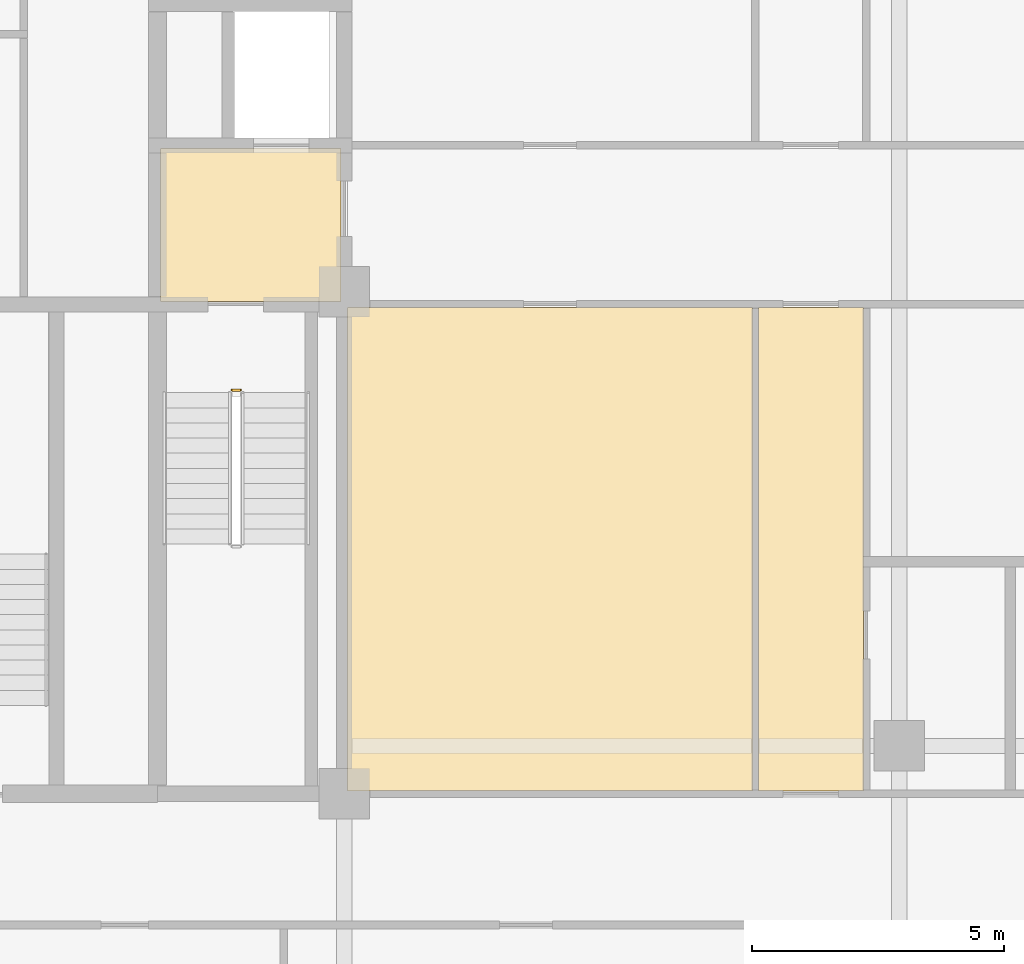
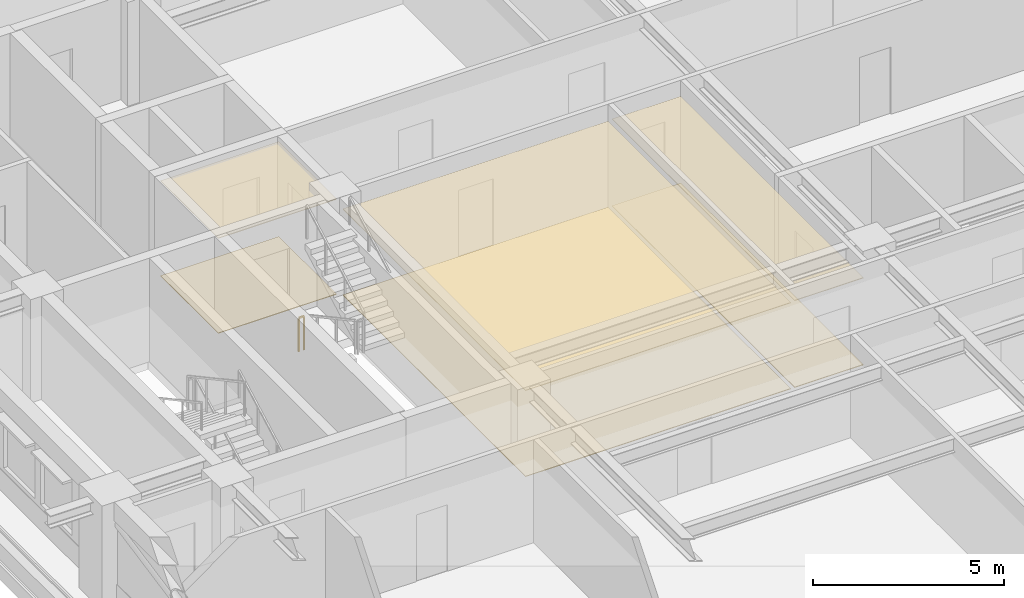
# One storey, part 11 of 14: 6 coverings, 1 railing.
"""IFC4 building model written with IfcOpenShell, lengths in metres."""

from ifc_helpers import new_model, si_unit, direction, frame, origin, origin_2d, place, context, subcontext, project, spatial, polyline, rectangle, outline, extrude, material, layer, layer_set, type_object, element, save


model = new_model("IFC4")

# Units and contexts
model_context = context("Model", 3, precision=1e-05, world=origin(), true_north=direction((0.0, 1.0)))
body_context = subcontext(model_context, "Body", "Model", "MODEL_VIEW")
ifc_project = project(units=[si_unit("LENGTHUNIT", "METRE"), si_unit("AREAUNIT", "SQUARE_METRE"), si_unit("VOLUMEUNIT", "CUBIC_METRE"), si_unit("PLANEANGLEUNIT", "RADIAN"), si_unit("MASSUNIT", "GRAM", prefix="KILO")], contexts=[model_context])

# Site, building, storey
site_placement = place(None, origin())
site = spatial("IfcSite", under=ifc_project, at=site_placement, CompositionType="ELEMENT")
building_placement = place(site_placement, origin())
building = spatial("IfcBuilding", under=site, at=building_placement, Name="Zulmaris Gate Convention Tower", CompositionType="ELEMENT")
storey_placement = place(building_placement, frame((0.0, 0.0, 98.5)))
storey = spatial("IfcBuildingStorey", under=building, at=storey_placement, Name="L24", CompositionType="ELEMENT", Elevation=98.5)

# Coverings
ifc_material_1 = material(Name="Mineral Fibre Acoustic Ceiling Tile")
ifc_layer_1 = layer(ifc_material_1, 0.02001953125, Name="Mineral Fibre Acoustic Ceiling Tile")
ifc_layer_set_1 = layer_set([ifc_layer_1], Name="Mineral Fibre Acoustic Ceiling Tile")
covering_type_1 = type_object("IfcCoveringType", Name="CLG-ACOUSTIC-600", PredefinedType="CEILING", material=ifc_layer_set_1)
covering_1_placement = place(storey_placement, frame((0.0, 0.0, 3.039794921875)))
element("IfcCovering", 1, at=covering_1_placement, inside=storey, type_object=covering_type_1, Name="CLG-L24-R03", PredefinedType="CEILING", context=body_context, shape_type="SweptSolid", body=[
    extrude(outline(polyline([(-14.639892578125, -0.18994140625), (-11.06005859375, -0.18994140625), (-11.06005859375, 2.840087890625), (-14.639892578125, 2.840087890625), (-14.639892578125, -0.18994140625)])), origin(), (0.0, 0.0, 1.0), 0.02001953125),
])
covering_2_placement = place(storey_placement, frame((0.0, 0.0, 2.77783203125)))
element("IfcCovering", 2, at=covering_2_placement, inside=storey, type_object=covering_type_1, Name="CLG-L24-R32", PredefinedType="CEILING", context=body_context, shape_type="SweptSolid", body=[
    extrude(outline(polyline([(-2.7900390625, -9.889892578125), (-0.7099609375, -9.889892578125), (-0.7099609375, -0.31005859375), (-2.7900390625, -0.31005859375), (-2.7900390625, -9.889892578125)])), origin(), (0.0, 0.0, 1.0), 0.02001953125),
])
covering_3_placement = place(storey_placement, frame((0.0, 0.0, 2.752685546875)))
element("IfcCovering", 3, at=covering_3_placement, inside=storey, type_object=covering_type_1, Name="CLG-L24-R42", PredefinedType="CEILING", context=body_context, shape_type="SweptSolid", body=[
    extrude(outline(polyline([(-10.93994140625, -9.889892578125), (-2.909912109375, -9.889892578125), (-2.909912109375, -0.31005859375), (-10.93994140625, -0.31005859375), (-10.93994140625, -9.889892578125)])), origin(), (0.0, 0.0, 1.0), 0.02001953125),
])
ifc_material_2 = material(Name="Woven Acoustic Wool Carpet Tile")
ifc_layer_2 = layer(ifc_material_2, 0.02001953125, Name="Woven Acoustic Wool Carpet Tile")
ifc_layer_set_2 = layer_set([ifc_layer_2], Name="Woven Acoustic Wool Carpet Tile")
covering_type_2 = type_object("IfcCoveringType", Name="FLR-CARPET-12", PredefinedType="FLOORING", material=ifc_layer_set_2)
covering_4_placement = place(storey_placement, origin())
element("IfcCovering", 4, at=covering_4_placement, inside=storey, type_object=covering_type_2, Name="FLR-L24-R03", PredefinedType="FLOORING", context=body_context, shape_type="SweptSolid", body=[
    extrude(outline(polyline([(-14.639892578125, -0.18994140625), (-11.06005859375, -0.18994140625), (-11.06005859375, 2.840087890625), (-14.639892578125, 2.840087890625), (-14.639892578125, -0.18994140625)])), origin(), (0.0, 0.0, 1.0), 0.02001953125),
])
covering_5_placement = place(storey_placement, origin())
element("IfcCovering", 5, at=covering_5_placement, inside=storey, type_object=covering_type_2, Name="FLR-L24-R32", PredefinedType="FLOORING", context=body_context, shape_type="SweptSolid", body=[
    extrude(outline(polyline([(-2.7900390625, -9.889892578125), (-0.7099609375, -9.889892578125), (-0.7099609375, -0.31005859375), (-2.7900390625, -0.31005859375), (-2.7900390625, -9.889892578125)])), origin(), (0.0, 0.0, 1.0), 0.02001953125),
])
covering_6_placement = place(storey_placement, origin())
element("IfcCovering", 6, at=covering_6_placement, inside=storey, type_object=covering_type_2, Name="FLR-L24-R42", PredefinedType="FLOORING", context=body_context, shape_type="SweptSolid", body=[
    extrude(outline(polyline([(-10.93994140625, -9.889892578125), (-2.909912109375, -9.889892578125), (-2.909912109375, -0.31005859375), (-10.93994140625, -0.31005859375), (-10.93994140625, -9.889892578125)])), origin(), (0.0, 0.0, 1.0), 0.02001953125),
])

# Railing
ifc_material_3 = material(Name="Painted Galvanised Steel", Category="steel")
railing_type = type_object("IfcRailingType", Name="RL-STG-1150", PredefinedType="GUARDRAIL", material=ifc_material_3)
railing_placement = place(storey_placement, frame((-13.219970703125, -1.949951171875, 0.0)))
element("IfcRailing", 7, at=railing_placement, inside=storey, type_object=railing_type, Name="L24 ST-1 stair guard 4", PredefinedType="GUARDRAIL", context=body_context, shape_type="SweptSolid", body=[
    extrude(rectangle(XDim=0.048095703125, YDim=0.048095703125, at=origin_2d()), frame((0.0, 0.0, 1.076171875), z_axis=(1.0, 0.0, 0.0), x_axis=(0.0, 1.0, 0.0)), (0.0, 0.0, 1.0), 0.159912109375),
    extrude(rectangle(XDim=0.0419921875, YDim=0.0419921875, at=origin_2d()), origin(), (0.0, 0.0, 1.0), 1.052001953125),
    extrude(rectangle(XDim=0.0419921875, YDim=0.0419921875, at=origin_2d()), frame((0.159912109375, 0.0, 0.0)), (0.0, 0.0, 1.0), 1.052001953125),
])

save(model, "model.ifc")
